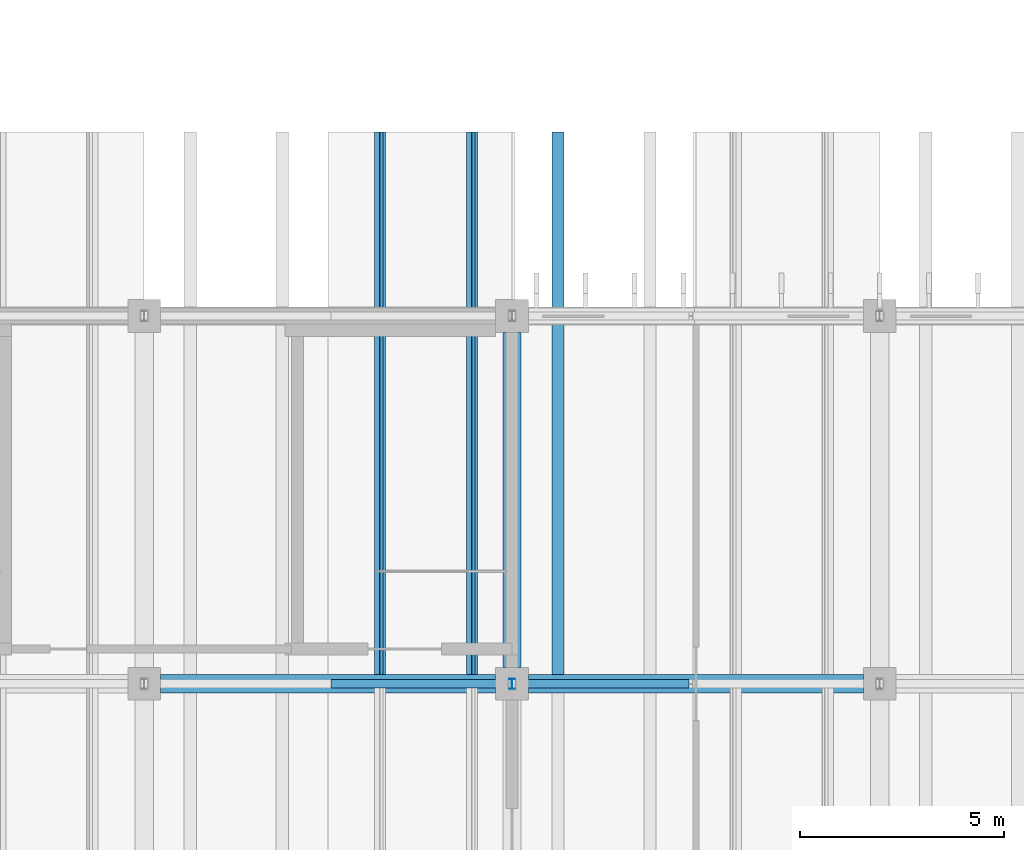
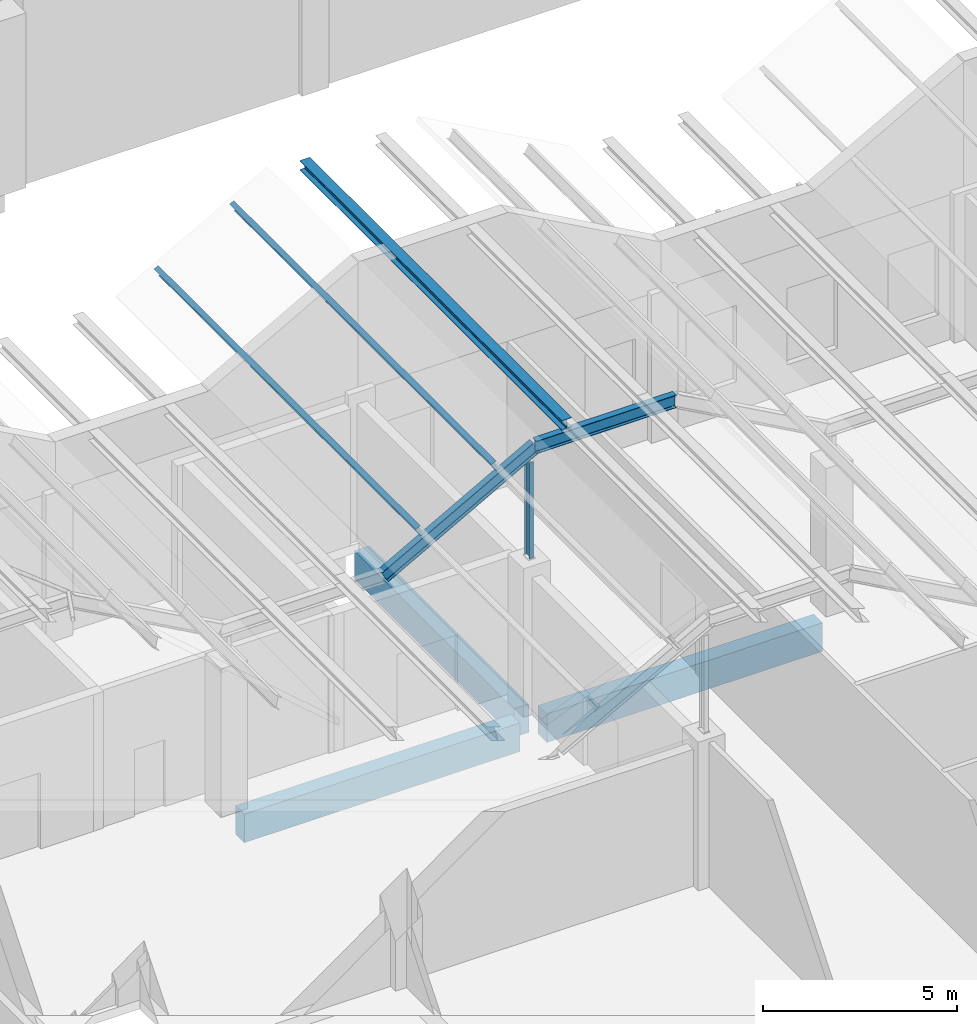
# One storey, part 59 of 437: 6 members, 3 beams.
"""IFC4 building model written with IfcOpenShell, lengths in metres."""

import ifcopenshell
import ifcopenshell.guid

model = None  # the IFC model being written
_history = None  # IfcOwnerHistory: only IFC2X3 demands one
_inside = {}  # id of a spatial element -> (the spatial element, [elements in it])
_under = {}  # id of a project, library or spatial element -> (it, [spatial elements below it])
_declared = {}  # id of a project -> (the project, [libraries it declares])
_typed = {}  # id of a type object -> (the type object, [elements of that type])
_made_of = {}  # id of a material, layer set ... -> (it, [elements and type objects made of it])


def new_model(schema):
    """Start an empty IFC model of exactly this schema.

    Asked for "IFC4X3", IfcOpenShell would pick the latest addendum, in which some entities
    have other attributes; the version numbers below select the first issue.
    IFC2X3 requires an IfcOwnerHistory on every rooted entity: one is made here for all.
    """
    global model, _history
    if schema == "IFC4X3":
        model = ifcopenshell.file(schema_version=(4, 3, 0, 0))
    else:
        model = ifcopenshell.file(schema=schema)
    _inside.clear()
    _under.clear()
    _declared.clear()
    _typed.clear()
    _made_of.clear()
    _history = None
    if model.schema == "IFC2X3":
        org = make("IfcOrganization", Name="unknown")
        user = make(
            "IfcPersonAndOrganization",
            ThePerson=make("IfcPerson", FamilyName="unknown"),
            TheOrganization=org,
        )
        app = make(
            "IfcApplication",
            ApplicationDeveloper=org,
            Version="unknown",
            ApplicationFullName="unknown",
            ApplicationIdentifier="unknown",
        )
        _history = make(
            "IfcOwnerHistory",
            OwningUser=user,
            OwningApplication=app,
            ChangeAction="ADDED",
            CreationDate=0,
        )
    return model


def make(cls, **values):
    """One entity of the class cls with the attributes given. An attribute that is None is left unset."""
    return model.create_entity(
        cls, **{name: value for name, value in values.items() if value is not None}
    )


def rooted(cls, **values):
    """An entity with a GlobalId (a new one), such as an element, a storey or a relation."""
    return make(cls, GlobalId=ifcopenshell.guid.new(), OwnerHistory=_history, **values)


def si_unit(unit_type, name, prefix=None):
    """IfcSIUnit, for example si_unit("LENGTHUNIT", "METRE", prefix="MILLI")."""
    return make("IfcSIUnit", UnitType=unit_type, Prefix=prefix, Name=name)


def assignment(units):
    """IfcUnitAssignment: the units of a project."""
    return None if units is None else make("IfcUnitAssignment", Units=units)


def point(xyz):
    """IfcCartesianPoint."""
    return None if xyz is None else make("IfcCartesianPoint", Coordinates=xyz)


def direction(xyz):
    """IfcDirection."""
    return None if xyz is None else make("IfcDirection", DirectionRatios=xyz)


def frame(location, z_axis=None, x_axis=None):
    """IfcAxis2Placement3D, a coordinate frame: its origin and axes. An axis left out is left unset."""
    return make(
        "IfcAxis2Placement3D",
        Location=point(location),
        Axis=direction(z_axis),
        RefDirection=direction(x_axis),
    )


def frame_2d(location, x_axis=None):
    """IfcAxis2Placement2D, a coordinate frame in the plane: its origin and x axis."""
    return make(
        "IfcAxis2Placement2D", Location=point(location), RefDirection=direction(x_axis)
    )


def origin():
    """The frame at (0, 0, 0) with its axes left unset."""
    return frame((0.0, 0.0, 0.0))


def origin_2d():
    """The frame at (0, 0) in the plane with its x axis left unset."""
    return frame_2d((0.0, 0.0))


def place(relative_to, where):
    """IfcLocalPlacement: puts the frame where relative to a parent placement (None: the world)."""
    return make(
        "IfcLocalPlacement", PlacementRelTo=relative_to, RelativePlacement=where
    )


def context(
    kind, dimensions, precision=None, world=None, true_north=None, identifier=None
):
    """IfcGeometricRepresentationContext, for example the 3D "Model" context."""
    return make(
        "IfcGeometricRepresentationContext",
        ContextIdentifier=identifier,
        ContextType=kind,
        CoordinateSpaceDimension=dimensions,
        Precision=precision,
        WorldCoordinateSystem=world,
        TrueNorth=true_north,
    )


def subcontext(parent, identifier, kind, view, scale=None):
    """IfcGeometricRepresentationSubContext, for example "Body" below "Model"."""
    return make(
        "IfcGeometricRepresentationSubContext",
        ContextIdentifier=identifier,
        ContextType=kind,
        ParentContext=parent,
        TargetScale=scale,
        TargetView=view,
    )


def project(units=None, contexts=None):
    """IfcProject with its units and contexts."""
    return rooted(
        "IfcProject",
        Name="project",
        RepresentationContexts=contexts,
        UnitsInContext=assignment(units),
    )


def spatial(cls, under=None, at=None, **own):
    """A site, building, storey or space (cls), placed at a placement, below another one or the project."""
    s = rooted(cls, ObjectPlacement=at, **own)
    if under is not None:
        _under.setdefault(under.id(), (under, []))[1].append(s)
    return s


def profile(cls, at=None, kind="AREA", **sizes):
    """A parametric profile (cls). Its sizes go by their IFC names, for example OverallWidth=200.0."""
    return make(cls, ProfileType=kind, Position=at, **sizes)


def rectangle(**sizes):
    """IfcRectangleProfileDef."""
    return profile("IfcRectangleProfileDef", **sizes)


def i_section(**sizes):
    """IfcIShapeProfileDef."""
    return profile("IfcIShapeProfileDef", **sizes)


def extrude(swept, where, along, depth):
    """IfcExtrudedAreaSolid: the profile swept, set in the frame where, extruded along a direction by depth."""
    return make(
        "IfcExtrudedAreaSolid",
        SweptArea=swept,
        Position=where,
        ExtrudedDirection=direction(along),
        Depth=depth,
    )


def shape(context_of_items, identifier, shape_type, items):
    """IfcShapeRepresentation: the items that make up one representation, for example the "Body"."""
    return make(
        "IfcShapeRepresentation",
        ContextOfItems=context_of_items,
        RepresentationIdentifier=identifier,
        RepresentationType=shape_type,
        Items=items,
    )


def material(Name=None, Category=None):
    """IfcMaterial."""
    return make("IfcMaterial", Name=Name, Category=Category)


def material_profile(
    of_material, cross_section, Name=None, Category=None, Priority=None
):
    """IfcMaterialProfile: a cross section and its material."""
    return make(
        "IfcMaterialProfile",
        Name=Name,
        Material=of_material,
        Profile=cross_section,
        Priority=Priority,
        Category=Category,
    )


def profile_set(profiles, Name=None, composite=None):
    """IfcMaterialProfileSet."""
    return make(
        "IfcMaterialProfileSet",
        Name=Name,
        MaterialProfiles=profiles,
        CompositeProfile=composite,
    )


def made_of(thing, what):
    """Note that an element or type object is made of a material, layer set ...; save() writes the relation."""
    if what is not None:
        _made_of.setdefault(what.id(), (what, []))[1].append(thing)
    return thing


def type_object(cls, material=None, **own):
    """A type object (cls), such as IfcWallType, which elements share."""
    return made_of(rooted(cls, **own), material)


def element(
    cls,
    number,
    at=None,
    inside=None,
    cuts=None,
    type_object=None,
    material=None,
    context=None,
    identifier="Body",
    shape_type=None,
    held_by="IfcProductDefinitionShape",
    body=None,
    shapes=None,
    **own,
):
    """One element of the class cls, such as IfcWall. Its Tag is "e" and its number.

    at: its placement. inside: the storey or other place that contains it. cuts: it is an
    opening in that element (IfcRelVoidsElement). A single representation is given by context,
    identifier, shape_type and body (its items); several are given by shapes. held_by: the class
    of the entity that holds the representations. save() writes the other relations.
    """
    e = rooted(cls, Tag="e%d" % number, ObjectPlacement=at, **own)
    if body is not None:
        shapes = [shape(context, identifier, shape_type, body)]
    if shapes is not None:
        e.Representation = make(held_by, Representations=shapes)
    if inside is not None:
        _inside.setdefault(inside.id(), (inside, []))[1].append(e)
    if cuts is not None:
        rooted(
            "IfcRelVoidsElement", RelatingBuildingElement=cuts, RelatedOpeningElement=e
        )
    if type_object is not None:
        _typed.setdefault(type_object.id(), (type_object, []))[1].append(e)
    return made_of(e, material)


def aggregate(whole, parts):
    """IfcRelAggregates: a whole, such as a stair, and the parts it consists of."""
    return rooted("IfcRelAggregates", RelatingObject=whole, RelatedObjects=parts)


def save(model, path):
    """Write the relations noted so far, then the file.

    IfcRelAggregates (storeys below a building ...), IfcRelContainedInSpatialStructure (elements
    in a storey), IfcRelDefinesByType, IfcRelAssociatesMaterial and IfcRelDeclares: one each for
    every whole, place, type object, material and project.
    """
    for whole, parts in _under.values():
        aggregate(whole, parts)
    for where, things in _inside.values():
        rooted(
            "IfcRelContainedInSpatialStructure",
            RelatedElements=things,
            RelatingStructure=where,
        )
    for kind, things in _typed.values():
        rooted("IfcRelDefinesByType", RelatedObjects=things, RelatingType=kind)
    for what, things in _made_of.values():
        rooted("IfcRelAssociatesMaterial", RelatedObjects=things, RelatingMaterial=what)
    for by, libraries in _declared.values():
        rooted("IfcRelDeclares", RelatingContext=by, RelatedDefinitions=libraries)
    model.write(path)


model = new_model("IFC4")

# Units and contexts
model_context = context("Model", 3, precision=1e-05, world=origin(), true_north=direction((0.0, 1.0)))
body_context = subcontext(model_context, "Body", "Model", "MODEL_VIEW")
ifc_project = project(units=[si_unit("LENGTHUNIT", "METRE"), si_unit("AREAUNIT", "SQUARE_METRE"), si_unit("VOLUMEUNIT", "CUBIC_METRE"), si_unit("PLANEANGLEUNIT", "RADIAN"), si_unit("MASSUNIT", "GRAM", prefix="KILO")], contexts=[model_context])

# Site, building, storey
site_placement = place(None, origin())
site = spatial("IfcSite", under=ifc_project, at=site_placement, CompositionType="ELEMENT")
building_placement = place(site_placement, origin())
building = spatial("IfcBuilding", under=site, at=building_placement, Name="Opaline Strait Convention Centre", CompositionType="ELEMENT")
storey_placement = place(building_placement, frame((0.0, 0.0, 11.5)))
storey = spatial("IfcBuildingStorey", under=building, at=storey_placement, Name="L02", CompositionType="ELEMENT", Elevation=11.5)

# Member
ifc_material_1 = material(Name="Steel Q355B", Category="steel")
ifc_material_profile_1 = material_profile(ifc_material_1, i_section(OverallWidth=0.300048828125, OverallDepth=0.300048828125, WebThickness=0.010009765625, FlangeThickness=0.014892578125, FilletRadius=0.012939453125, at=origin_2d()), Name="HW 300x300x10x15")
ifc_profile_set_1 = profile_set([ifc_material_profile_1], Name="Steel Q355B")
member_type_1 = type_object("IfcMemberType", Name="Crest purlin HW 300x300x10x15", PredefinedType="PURLIN", material=ifc_profile_set_1)
member_1_placement = place(storey_placement, frame((28.125, 90.0, 8.449951171875), z_axis=(0.0, 1.0, 0.0), x_axis=(-1.0, 0.0, 0.0)))
element("IfcMember", 1, at=member_1_placement, inside=storey, type_object=member_type_1, Name="RU1 purlin facet 5 line 1", PredefinedType="PURLIN", context=body_context, shape_type="SweptSolid", body=[
    extrude(i_section(OverallWidth=0.300048828125, OverallDepth=0.300048828125, WebThickness=0.010009765625, FlangeThickness=0.014892578125, FilletRadius=0.012939453125, at=origin_2d()), origin(), (0.0, 0.0, 1.0), 13.5),
])

# Beams
ifc_material_2 = material(Name="Concrete C35", Category="concrete")
ifc_material_profile_2 = material_profile(ifc_material_2, rectangle(XDim=0.449951171875, YDim=0.89990234375, at=origin_2d()), Name="RC 450x900")
ifc_profile_set_2 = profile_set([ifc_material_profile_2], Name="Concrete C35")
beam_type = type_object("IfcBeamType", Name="RC beam 450x900 C35", PredefinedType="BEAM", material=ifc_profile_set_2)
for number, where, z_axis, x_axis, name in (
    (2, (18.39990234375, 90.0, -0.72998046875), (1.0, 0.0, 0.0), (0.0, 1.0, 0.0), "XB1 L02 18/90-27/90"),
    (3, (27.39990234375, 90.0, -0.72998046875), (1.0, 0.0, 0.0), (0.0, 1.0, 0.0), "XB1 L02 27/90-36/90"),
    (4, (27.0, 90.39990234375, -0.72998046875), (0.0, 1.0, 0.0), (-1.0, 0.0, 0.0), "XB1 L02 27/90-27/99"),
):
    element("IfcBeam", number, at=place(storey_placement, frame(where, z_axis=z_axis, x_axis=x_axis)), inside=storey, type_object=beam_type, Name=name, PredefinedType="BEAM", context=body_context, shape_type="SweptSolid", body=[
        extrude(rectangle(XDim=0.449951171875, YDim=0.89990234375, at=origin_2d()), origin(), (0.0, 0.0, 1.0), 8.2001953125),
    ])

# Members
ifc_material_profile_3 = material_profile(ifc_material_1, i_section(OverallWidth=0.125, OverallDepth=0.25, WebThickness=0.006103515625, FlangeThickness=0.009033203125, FilletRadius=0.008056640625, at=origin_2d()), Name="HN 250x125x6x9")
ifc_profile_set_3 = profile_set([ifc_material_profile_3], Name="Steel Q355B")
member_type_2 = type_object("IfcMemberType", Name="Roof post HN 250x125x6x9", PredefinedType="STRUT", material=ifc_profile_set_3)
member_2_placement = place(storey_placement, frame((27.0, 90.0, 4.68994140625), z_axis=(0.0, 0.0, 1.0), x_axis=(1.0, 0.0, 0.0)))
element("IfcMember", 5, at=member_2_placement, inside=storey, type_object=member_type_2, Name="RP1 roof post at 27/90", PredefinedType="STRUT", context=body_context, shape_type="SweptSolid", body=[
    extrude(i_section(OverallWidth=0.125, OverallDepth=0.25, WebThickness=0.006103515625, FlangeThickness=0.009033203125, FilletRadius=0.008056640625, at=origin_2d()), origin(), (0.0, 0.0, 1.0), 3.031005859375),
])
ifc_material_profile_4 = material_profile(ifc_material_1, i_section(OverallWidth=0.14990234375, OverallDepth=0.300048828125, WebThickness=0.006591796875, FlangeThickness=0.009033203125, FilletRadius=0.012939453125, at=origin_2d()), Name="HN 300x150x6.5x9")
ifc_profile_set_4 = profile_set([ifc_material_profile_4], Name="Steel Q355B")
member_type_3 = type_object("IfcMemberType", Name="Roof purlin HN 300x150x6.5x9", PredefinedType="PURLIN", material=ifc_profile_set_4)
for number, where, z_axis, x_axis, name in (
    (6, (23.770751953125, 90.0, 6.61279296875), (0.0, 1.0, 0.0), (-0.874157310866, 0.0, -0.485642868639), "RU1 purlin facet 4 line 1"),
    (7, (26.020751953125, 90.0, 7.86279296875), (0.0, 1.0, 0.0), (-0.874157310866, 0.0, -0.485642868639), "RU1 purlin facet 4 line 2"),
):
    element("IfcMember", number, at=place(storey_placement, frame(where, z_axis=z_axis, x_axis=x_axis)), inside=storey, type_object=member_type_3, Name=name, PredefinedType="PURLIN", context=body_context, shape_type="SweptSolid", body=[
        extrude(i_section(OverallWidth=0.14990234375, OverallDepth=0.300048828125, WebThickness=0.006591796875, FlangeThickness=0.009033203125, FilletRadius=0.012939453125, at=origin_2d()), origin(), (0.0, 0.0, 1.0), 13.5),
    ])
ifc_material_profile_5 = material_profile(ifc_material_1, i_section(OverallWidth=0.199951171875, OverallDepth=0.39990234375, WebThickness=0.008056640625, FlangeThickness=0.012939453125, FilletRadius=0.012939453125, at=origin_2d()), Name="HN 400x200x8x13")
ifc_profile_set_5 = profile_set([ifc_material_profile_5], Name="Steel Q355B")
member_type_4 = type_object("IfcMemberType", Name="Roof rafter HN 400x200x8x13", PredefinedType="RAFTER", material=ifc_profile_set_5)
member_3_placement = place(storey_placement, frame((22.66845703125, 90.0, 5.60009765625), z_axis=(0.874157276122, 0.0, 0.485642931179), x_axis=(0.0, 1.0, 0.0)))
element("IfcMember", 8, at=member_3_placement, inside=storey, type_object=member_type_4, Name="RR1 rafter line 10 facet 5", PredefinedType="RAFTER", context=body_context, shape_type="SweptSolid", body=[
    extrude(i_section(OverallWidth=0.199951171875, OverallDepth=0.39990234375, WebThickness=0.008056640625, FlangeThickness=0.012939453125, FilletRadius=0.012939453125, at=origin_2d()), origin(), (0.0, 0.0, 1.0), 5.147705078125),
])
member_4_placement = place(storey_placement, frame((27.16845703125, 90.0, 8.10009765625), z_axis=(1.0, 0.0, 0.0), x_axis=(0.0, 1.0, 0.0)))
element("IfcMember", 9, at=member_4_placement, inside=storey, type_object=member_type_4, Name="RR1 rafter line 10 facet 6", PredefinedType="RAFTER", context=body_context, shape_type="SweptSolid", body=[
    extrude(i_section(OverallWidth=0.199951171875, OverallDepth=0.39990234375, WebThickness=0.008056640625, FlangeThickness=0.012939453125, FilletRadius=0.012939453125, at=origin_2d()), origin(), (0.0, 0.0, 1.0), 4.1630859375),
])

save(model, "model.ifc")
